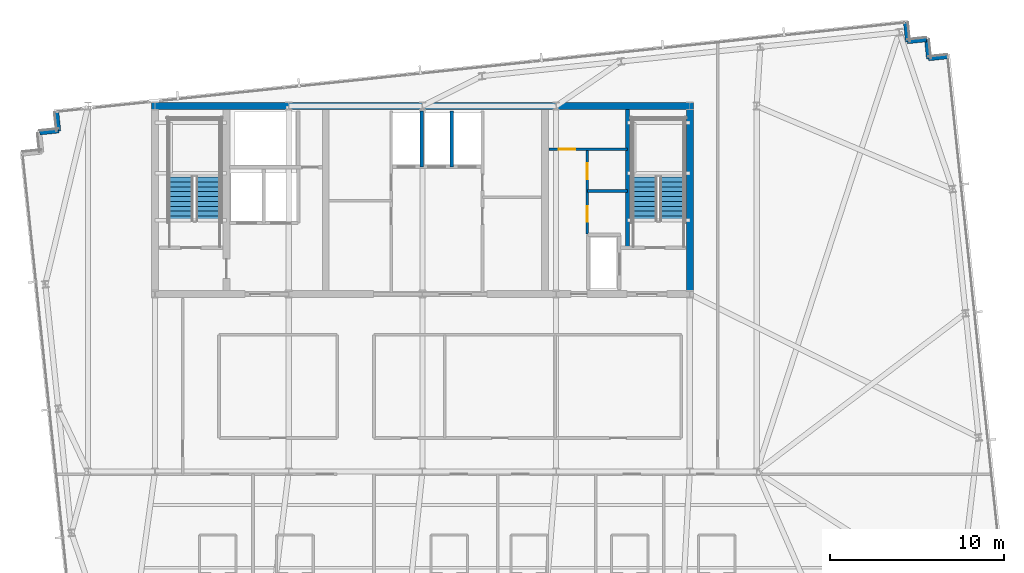
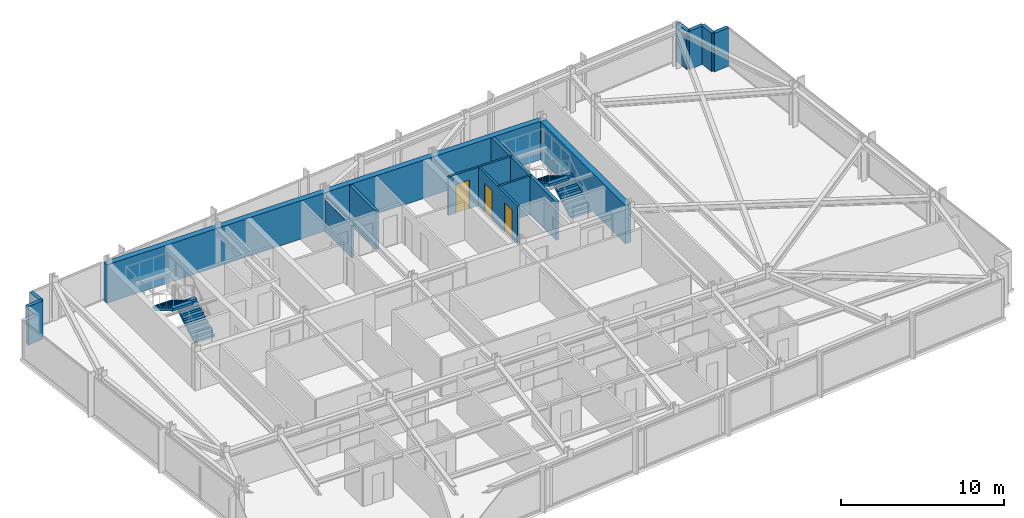
# One storey, part 29 of 33: 14 walls, 4 stair flights, 3 doors, 3 openings, 2 elements without a shape of their own.
"""IFC4 building model written with IfcOpenShell, lengths in metres."""

from ifc_helpers import new_model, si_unit, direction, frame, frame_2d, origin, place, context, subcontext, project, spatial, polyline, rectangle, outline, extrude, material, layer, layer_set, type_object, element, fill, aggregate, save


model = new_model("IFC4")

# Units and contexts
model_context = context("Model", 3, precision=1e-05, world=origin(), true_north=direction((0.0, 1.0)))
body_context = subcontext(model_context, "Body", "Model", "MODEL_VIEW")
ifc_project = project(units=[si_unit("LENGTHUNIT", "METRE"), si_unit("AREAUNIT", "SQUARE_METRE"), si_unit("VOLUMEUNIT", "CUBIC_METRE"), si_unit("PLANEANGLEUNIT", "RADIAN"), si_unit("MASSUNIT", "GRAM", prefix="KILO")], contexts=[model_context])

# Site, building, storey
site_placement = place(None, origin())
site = spatial("IfcSite", under=ifc_project, at=site_placement, CompositionType="ELEMENT")
building_placement = place(site_placement, origin())
building = spatial("IfcBuilding", under=site, at=building_placement, Name="Yelkora Congress Tower", CompositionType="ELEMENT")
storey_placement = place(building_placement, frame((0.0, 0.0, 244.10009765625)))
storey = spatial("IfcBuildingStorey", under=building, at=storey_placement, Name="L68", CompositionType="ELEMENT", Elevation=244.10009765625)

# Walls
ifc_material_1 = material(Name="Concrete C50/60", Category="concrete")
ifc_layer_1 = layer(ifc_material_1, 0.219970703125)
ifc_layer_set_1 = layer_set([ifc_layer_1], Name="Concrete C50/60")
wall_type_1 = type_object("IfcWallType", Name="WALL-CORE-INT-220", PredefinedType="SHEAR", material=ifc_layer_set_1)
wall_1_placement = place(storey_placement, frame((50.179931640625, 38.050048828125, 0.0), z_axis=(0.0, 0.0, 1.0), x_axis=(0.0, 1.0, 0.0)))
element("IfcWall", 1, at=wall_1_placement, inside=storey, type_object=wall_type_1, Name="L68 ST02 West Stair Shear Wall", PredefinedType="SHEAR", context=body_context, shape_type="SweptSolid", body=[
    extrude(rectangle(XDim=7.949951171875, YDim=0.219970703125, at=frame_2d((3.97509765625, 0.0))), origin(), (0.0, 0.0, 1.0), 2.8798828125),
])
ifc_layer_2 = layer(ifc_material_1, 0.39990234375)
ifc_layer_set_2 = layer_set([ifc_layer_2], Name="Concrete C50/60")
wall_type_2 = type_object("IfcWallType", Name="WALL-CORE-INT-400", PredefinedType="SHEAR", material=ifc_layer_set_2)
wall_2_placement = place(storey_placement, frame((22.840087890625, 46.199951171875, 0.0), z_axis=(0.0, 0.0, 1.0), x_axis=(1.0, 0.0, 0.0)))
element("IfcWall", 2, at=wall_2_placement, inside=storey, type_object=wall_type_2, Name="L68 Rear Core North Shear Wall", PredefinedType="SHEAR", context=body_context, shape_type="SweptSolid", body=[
    extrude(rectangle(XDim=31.119873046875, YDim=0.39990234375, at=frame_2d((15.56005859375, 0.0))), origin(), (0.0, 0.0, 1.0), 2.8798828125),
])
wall_3_placement = place(storey_placement, frame((53.760009765625, 35.60009765625, 0.0), z_axis=(0.0, 0.0, 1.0), x_axis=(0.0, 1.0, 0.0)))
element("IfcWall", 3, at=wall_3_placement, inside=storey, type_object=wall_type_2, Name="L68 Rear Core Cross Shear Wall E", PredefinedType="SHEAR", context=body_context, shape_type="SweptSolid", body=[
    extrude(rectangle(XDim=10.39990234375, YDim=0.39990234375, at=frame_2d((5.199951171875, 0.0))), origin(), (0.0, 0.0, 1.0), 2.8798828125),
])
ifc_material_2 = material(Name="Concrete C40/50", Category="concrete")
ifc_layer_3 = layer(ifc_material_2, 0.239990234375)
ifc_layer_set_3 = layer_set([ifc_layer_3], Name="Concrete C40/50")
wall_type_3 = type_object("IfcWallType", Name="WALL-EXT-LIMESTONE-240", PredefinedType="SOLIDWALL", material=ifc_layer_set_3)
wall_4_placement = place(storey_placement, frame((16.420166015625, 44.65380859375, 0.0), z_axis=(0.0, 0.0, 1.0), x_axis=(0.994541884982, 0.104338099541, 0.0)))
element("IfcWall", 4, at=wall_4_placement, inside=storey, type_object=wall_type_3, Name="L68 Serrated Corner Limestone Pier 8", PredefinedType="SOLIDWALL", context=body_context, shape_type="SweptSolid", body=[
    extrude(rectangle(XDim=1.099853515625, YDim=0.239990234375, at=frame_2d((0.5498046875, 0.0))), origin(), (0.0, 0.0, 1.0), 2.8798828125),
])
for number, where, z_axis, x_axis, name in (
    (5, (17.513916015625, 44.7685546875, 0.0), (0.0, 0.0, 1.0), (-0.104534592565, 0.994521251134, 0.0), "L68 Serrated Corner Limestone Pier 9"),
    (6, (66.150390625, 50.986572265625, 0.0), (0.0, 0.0, 1.0), (0.104534592565, -0.994521251134, 0.0), "L68 Serrated Corner Limestone Pier 11"),
    (7, (66.265380859375, 49.892578125, 0.0), (0.0, 0.0, 1.0), (0.994521251134, 0.104534592565, 0.0), "L68 Serrated Corner Limestone Pier 12"),
    (8, (67.359375, 50.007568359375, 0.0), (0.0, 0.0, 1.0), (0.104534592565, -0.994521251134, 0.0), "L68 Serrated Corner Limestone Pier 13"),
    (9, (67.474365234375, 48.91357421875, 0.0), (0.0, 0.0, 1.0), (0.994521251134, 0.104534592565, 0.0), "L68 Serrated Corner Limestone Pier 14"),
):
    element("IfcWall", number, at=place(storey_placement, frame(where, z_axis=z_axis, x_axis=x_axis)), inside=storey, type_object=wall_type_3, Name=name, PredefinedType="SOLIDWALL", context=body_context, shape_type="SweptSolid", body=[
        extrude(rectangle(XDim=1.10009765625, YDim=0.239990234375, at=frame_2d((0.550048828125, 0.0))), origin(), (0.0, 0.0, 1.0), 2.8798828125),
    ])

# Wall, opening, door
ifc_material_3 = material(Name="Acoustic metal-stud gypsum partition", Category="gypsum")
ifc_layer_4 = layer(ifc_material_3, 0.14990234375)
ifc_layer_set_4 = layer_set([ifc_layer_4], Name="Acoustic metal-stud gypsum partition")
wall_type_4 = type_object("IfcWallType", Name="WALL-INT-150-NR", PredefinedType="PARTITIONING", material=ifc_layer_set_4)
wall_5_placement = place(storey_placement, frame((45.679931640625, 43.719970703125, 0.0), z_axis=(0.0, 0.0, 1.0), x_axis=(1.0, 0.0, 0.0)))
wall_5 = element("IfcWall", 10, at=wall_5_placement, inside=storey, type_object=wall_type_4, Name="L68 Partition Wall 20", PredefinedType="PARTITIONING", context=body_context, shape_type="SweptSolid", body=[
    extrude(rectangle(XDim=4.5, YDim=0.14990234375, at=frame_2d((2.25, 0.0))), origin(), (0.0, 0.0, 1.0), 2.8798828125),
])
opening_1_placement = place(wall_5_placement, frame((0.550048828125, 0.0, 0.0)))
opening_1 = element("IfcOpeningElement", 11, at=opening_1_placement, cuts=wall_5, Name="Opening DR-095N", PredefinedType="OPENING", context=body_context, shape_type="SweptSolid", body=[
    extrude(rectangle(XDim=0.949951171875, YDim=2.14990234375, at=frame_2d((0.47509765625, 1.074951171875))), frame((0.0, 0.0849609375, 0.0), z_axis=(0.0, -1.0, 0.0), x_axis=(1.0, 0.0, 0.0)), (0.0, 0.0, 1.0), 0.169921875),
])
ifc_material_4 = material(Name="Acoustic laminated timber office door", Category="wood")
door_type_1 = type_object("IfcDoorType", Name="DOOR-INT-950", OperationType="NOTDEFINED", PredefinedType="DOOR", material=ifc_material_4)
door_1_placement = place(opening_1_placement, origin())
door_1 = element("IfcDoor", 12, at=door_1_placement, inside=storey, type_object=door_type_1, Name="L68 Accessible WC Door", OperationType="SINGLE_SWING_LEFT", OverallHeight=2.14990234375, OverallWidth=0.949951171875, PredefinedType="DOOR", context=body_context, shape_type="SweptSolid", body=[
    extrude(rectangle(XDim=0.949951171875, YDim=2.14990234375, at=frame_2d((0.47509765625, 1.074951171875))), frame((0.0, 0.02490234375, 0.0), z_axis=(0.0, -1.0, 0.0), x_axis=(1.0, 0.0, 0.0)), (0.0, 0.0, 1.0), 0.050048828125),
])
fill(opening_1, door_1)

# Wall
wall_6_placement = place(storey_placement, frame((47.8798828125, 41.320068359375, 0.0), z_axis=(0.0, 0.0, 1.0), x_axis=(1.0, 0.0, 0.0)))
element("IfcWall", 13, at=wall_6_placement, inside=storey, type_object=wall_type_4, Name="L68 Partition Wall 21", PredefinedType="PARTITIONING", context=body_context, shape_type="SweptSolid", body=[
    extrude(rectangle(XDim=2.300048828125, YDim=0.14990234375, at=frame_2d((1.14990234375, 0.0))), origin(), (0.0, 0.0, 1.0), 2.8798828125),
])

# Wall, openings, doors
wall_7_placement = place(storey_placement, frame((47.8798828125, 38.85009765625, 0.0), z_axis=(0.0, 0.0, 1.0), x_axis=(0.0, 1.0, 0.0)))
wall_7 = element("IfcWall", 14, at=wall_7_placement, inside=storey, type_object=wall_type_4, Name="L68 Partition Wall 22", PredefinedType="PARTITIONING", context=body_context, shape_type="SweptSolid", body=[
    extrude(rectangle(XDim=4.869873046875, YDim=0.14990234375, at=frame_2d((2.43505859375, 0.0))), origin(), (0.0, 0.0, 1.0), 2.8798828125),
])
opening_2_placement = place(wall_7_placement, frame((0.699951171875, 0.0, 0.0)))
opening_2 = element("IfcOpeningElement", 15, at=opening_2_placement, cuts=wall_7, Name="Opening DR-090N", PredefinedType="OPENING", context=body_context, shape_type="SweptSolid", body=[
    extrude(rectangle(XDim=0.89990234375, YDim=2.14990234375, at=frame_2d((0.449951171875, 1.074951171875))), frame((0.0, 0.0849609375, 0.0), z_axis=(0.0, -1.0, 0.0), x_axis=(1.0, 0.0, 0.0)), (0.0, 0.0, 1.0), 0.169921875),
])
opening_3_placement = place(wall_7_placement, frame((3.14990234375, 0.0, 0.0)))
opening_3 = element("IfcOpeningElement", 16, at=opening_3_placement, cuts=wall_7, Name="Opening DR-090N", PredefinedType="OPENING", context=body_context, shape_type="SweptSolid", body=[
    extrude(rectangle(XDim=0.89990234375, YDim=2.14990234375, at=frame_2d((0.449951171875, 1.074951171875))), frame((0.0, 0.0849609375, 0.0), z_axis=(0.0, -1.0, 0.0), x_axis=(1.0, 0.0, 0.0)), (0.0, 0.0, 1.0), 0.169921875),
])
ifc_material_5 = material(Name="Moisture-resistant laminate door leaf", Category="wood")
door_type_2 = type_object("IfcDoorType", Name="DOOR-INT-900", OperationType="NOTDEFINED", PredefinedType="DOOR", material=ifc_material_5)
door_2_placement = place(opening_2_placement, origin())
door_2 = element("IfcDoor", 17, at=door_2_placement, inside=storey, type_object=door_type_2, Name="L68 Male WC Door", OperationType="SINGLE_SWING_RIGHT", OverallHeight=2.14990234375, OverallWidth=0.89990234375, PredefinedType="DOOR", context=body_context, shape_type="SweptSolid", body=[
    extrude(rectangle(XDim=0.89990234375, YDim=2.14990234375, at=frame_2d((0.449951171875, 1.074951171875))), frame((0.0, 0.02490234375, 0.0), z_axis=(0.0, -1.0, 0.0), x_axis=(1.0, 0.0, 0.0)), (0.0, 0.0, 1.0), 0.050048828125),
])
fill(opening_2, door_2)
door_3_placement = place(opening_3_placement, origin())
door_3 = element("IfcDoor", 18, at=door_3_placement, inside=storey, type_object=door_type_2, Name="L68 Female WC Door", OperationType="SINGLE_SWING_LEFT", OverallHeight=2.14990234375, OverallWidth=0.89990234375, PredefinedType="DOOR", context=body_context, shape_type="SweptSolid", body=[
    extrude(rectangle(XDim=0.89990234375, YDim=2.14990234375, at=frame_2d((0.449951171875, 1.074951171875))), frame((0.0, 0.02490234375, 0.0), z_axis=(0.0, -1.0, 0.0), x_axis=(1.0, 0.0, 0.0)), (0.0, 0.0, 1.0), 0.050048828125),
])
fill(opening_3, door_3)

# Walls
ifc_material_6 = material(Name="Autoclaved aerated concrete blockwork", Category="masonry")
ifc_layer_5 = layer(ifc_material_6, 0.199951171875)
ifc_layer_set_5 = layer_set([ifc_layer_5], Name="Autoclaved aerated concrete blockwork")
wall_type_5 = type_object("IfcWallType", Name="WALL-INT-200-R120", PredefinedType="PARTITIONING", material=ifc_layer_set_5)
wall_8_placement = place(storey_placement, frame((38.35009765625, 42.699951171875, 0.0), z_axis=(0.0, 0.0, 1.0), x_axis=(0.0, 1.0, 0.0)))
element("IfcWall", 19, at=wall_8_placement, inside=storey, type_object=wall_type_5, Name="L68 Partition Wall 9", PredefinedType="PARTITIONING", context=body_context, shape_type="SweptSolid", body=[
    extrude(rectangle(XDim=3.219970703125, YDim=0.199951171875, at=frame_2d((1.60986328125, 0.0))), origin(), (0.0, 0.0, 1.0), 2.4248046875),
])
wall_9_placement = place(storey_placement, frame((40.10009765625, 42.699951171875, 0.0), z_axis=(0.0, 0.0, 1.0), x_axis=(0.0, 1.0, 0.0)))
element("IfcWall", 20, at=wall_9_placement, inside=storey, type_object=wall_type_5, Name="L68 Partition Wall 10", PredefinedType="PARTITIONING", context=body_context, shape_type="SweptSolid", body=[
    extrude(rectangle(XDim=3.219970703125, YDim=0.199951171875, at=frame_2d((1.60986328125, 0.0))), origin(), (0.0, 0.0, 1.0), 2.8798828125),
])

# Stair, stair flights
stair_type = type_object("IfcStairType", Name="STAIR-HT-1420-R20-165", PredefinedType="HALF_TURN_STAIR", material=ifc_material_2)
stair_1_placement = place(storey_placement, origin())
stair_1 = element("IfcStair", 21, at=stair_1_placement, inside=storey, type_object=stair_type, Name="West Core Protected Exit Stair ST-01 (L68)", PredefinedType="HALF_TURN_STAIR")
stair_flight_type = type_object("IfcStairFlightType", Name="FLIGHT-1420-N10-R165-G280", PredefinedType="STRAIGHT", material=ifc_material_2)
stair_flight_1_placement = place(storey_placement, frame((26.110107421875, 39.60009765625, 0.0), z_axis=(0.0, 0.0, 1.0), x_axis=(0.0, 1.0, 0.0)))
stair_flight_1 = element("IfcStairFlight", 22, at=stair_flight_1_placement, type_object=stair_flight_type, Name="ST-01 L68 Flight 1", NumberOfRisers=10, NumberOfTreads=9, PredefinedType="STRAIGHT", RiserHeight=0.165, TreadLength=0.28, context=body_context, shape_type="SweptSolid", body=[
    extrude(outline(polyline([(0.0, 0.0), (0.0, 0.1650390625), (0.280029296875, 0.1650390625), (0.280029296875, 0.330078125), (0.56005859375, 0.330078125), (0.56005859375, 0.4951171875), (0.840087890625, 0.4951171875), (0.840087890625, 0.659912109375), (1.1201171875, 0.659912109375), (1.1201171875, 0.824951171875), (1.39990234375, 0.824951171875), (1.39990234375, 0.989990234375), (1.679931640625, 0.989990234375), (1.679931640625, 1.155029296875), (1.9599609375, 1.155029296875), (1.9599609375, 1.320068359375), (2.239990234375, 1.320068359375), (2.239990234375, 1.485107421875), (2.52001953125, 1.485107421875), (2.52001953125, 1.64990234375), (2.52001953125, 1.29931640625), (0.31494140625, 0.0), (0.0, 0.0)])), frame((0.0, 0.7099609375, 0.0), z_axis=(0.0, -1.0, 0.0), x_axis=(1.0, 0.0, 0.0)), (0.0, 0.0, 1.0), 1.419921875),
])
stair_flight_2_placement = place(storey_placement, frame((24.530029296875, 42.1201171875, 1.64990234375), z_axis=(0.0, 0.0, 1.0), x_axis=(0.0, -1.0, 0.0)))
stair_flight_2 = element("IfcStairFlight", 23, at=stair_flight_2_placement, type_object=stair_flight_type, Name="ST-01 L68 Flight 2", NumberOfRisers=10, NumberOfTreads=9, PredefinedType="STRAIGHT", RiserHeight=0.165, TreadLength=0.28, context=body_context, shape_type="SweptSolid", body=[
    extrude(outline(polyline([(0.0, 0.0), (0.0, 0.1650390625), (0.280029296875, 0.1650390625), (0.280029296875, 0.330078125), (0.56005859375, 0.330078125), (0.56005859375, 0.4951171875), (0.840087890625, 0.4951171875), (0.840087890625, 0.659912109375), (1.1201171875, 0.659912109375), (1.1201171875, 0.824951171875), (1.39990234375, 0.824951171875), (1.39990234375, 0.989990234375), (1.679931640625, 0.989990234375), (1.679931640625, 1.155029296875), (1.9599609375, 1.155029296875), (1.9599609375, 1.320068359375), (2.239990234375, 1.320068359375), (2.239990234375, 1.485107421875), (2.52001953125, 1.485107421875), (2.52001953125, 1.64990234375), (2.52001953125, 1.29931640625), (0.31494140625, 0.0), (0.0, 0.0)])), frame((0.0, 0.7099609375, 0.0), z_axis=(0.0, -1.0, 0.0), x_axis=(1.0, 0.0, 0.0)), (0.0, 0.0, 1.0), 1.419921875),
])
aggregate(stair_1, [stair_flight_1, stair_flight_2])

stair_2_placement = place(storey_placement, origin())
stair_2 = element("IfcStair", 24, at=stair_2_placement, inside=storey, type_object=stair_type, Name="East Core Protected Exit Stair ST-02 (L68)", PredefinedType="HALF_TURN_STAIR")
stair_flight_3_placement = place(storey_placement, frame((52.75, 39.60009765625, 0.0), z_axis=(0.0, 0.0, 1.0), x_axis=(0.0, 1.0, 0.0)))
stair_flight_3 = element("IfcStairFlight", 25, at=stair_flight_3_placement, type_object=stair_flight_type, Name="ST-02 L68 Flight 1", NumberOfRisers=10, NumberOfTreads=9, PredefinedType="STRAIGHT", RiserHeight=0.165, TreadLength=0.28, context=body_context, shape_type="SweptSolid", body=[
    extrude(outline(polyline([(0.0, 0.0), (0.0, 0.1650390625), (0.280029296875, 0.1650390625), (0.280029296875, 0.330078125), (0.56005859375, 0.330078125), (0.56005859375, 0.4951171875), (0.840087890625, 0.4951171875), (0.840087890625, 0.659912109375), (1.1201171875, 0.659912109375), (1.1201171875, 0.824951171875), (1.39990234375, 0.824951171875), (1.39990234375, 0.989990234375), (1.679931640625, 0.989990234375), (1.679931640625, 1.155029296875), (1.9599609375, 1.155029296875), (1.9599609375, 1.320068359375), (2.239990234375, 1.320068359375), (2.239990234375, 1.485107421875), (2.52001953125, 1.485107421875), (2.52001953125, 1.64990234375), (2.52001953125, 1.29931640625), (0.31494140625, 0.0), (0.0, 0.0)])), frame((0.0, 0.7099609375, 0.0), z_axis=(0.0, -1.0, 0.0), x_axis=(1.0, 0.0, 0.0)), (0.0, 0.0, 1.0), 1.419921875),
])
stair_flight_4_placement = place(storey_placement, frame((51.169921875, 42.1201171875, 1.64990234375), z_axis=(0.0, 0.0, 1.0), x_axis=(0.0, -1.0, 0.0)))
stair_flight_4 = element("IfcStairFlight", 26, at=stair_flight_4_placement, type_object=stair_flight_type, Name="ST-02 L68 Flight 2", NumberOfRisers=10, NumberOfTreads=9, PredefinedType="STRAIGHT", RiserHeight=0.165, TreadLength=0.28, context=body_context, shape_type="SweptSolid", body=[
    extrude(outline(polyline([(0.0, 0.0), (0.0, 0.1650390625), (0.280029296875, 0.1650390625), (0.280029296875, 0.330078125), (0.56005859375, 0.330078125), (0.56005859375, 0.4951171875), (0.840087890625, 0.4951171875), (0.840087890625, 0.659912109375), (1.1201171875, 0.659912109375), (1.1201171875, 0.824951171875), (1.39990234375, 0.824951171875), (1.39990234375, 0.989990234375), (1.679931640625, 0.989990234375), (1.679931640625, 1.155029296875), (1.9599609375, 1.155029296875), (1.9599609375, 1.320068359375), (2.239990234375, 1.320068359375), (2.239990234375, 1.485107421875), (2.52001953125, 1.485107421875), (2.52001953125, 1.64990234375), (2.52001953125, 1.29931640625), (0.31494140625, 0.0), (0.0, 0.0)])), frame((0.0, 0.7099609375, 0.0), z_axis=(0.0, -1.0, 0.0), x_axis=(1.0, 0.0, 0.0)), (0.0, 0.0, 1.0), 1.419921875),
])
aggregate(stair_2, [stair_flight_3, stair_flight_4])

save(model, "model.ifc")
